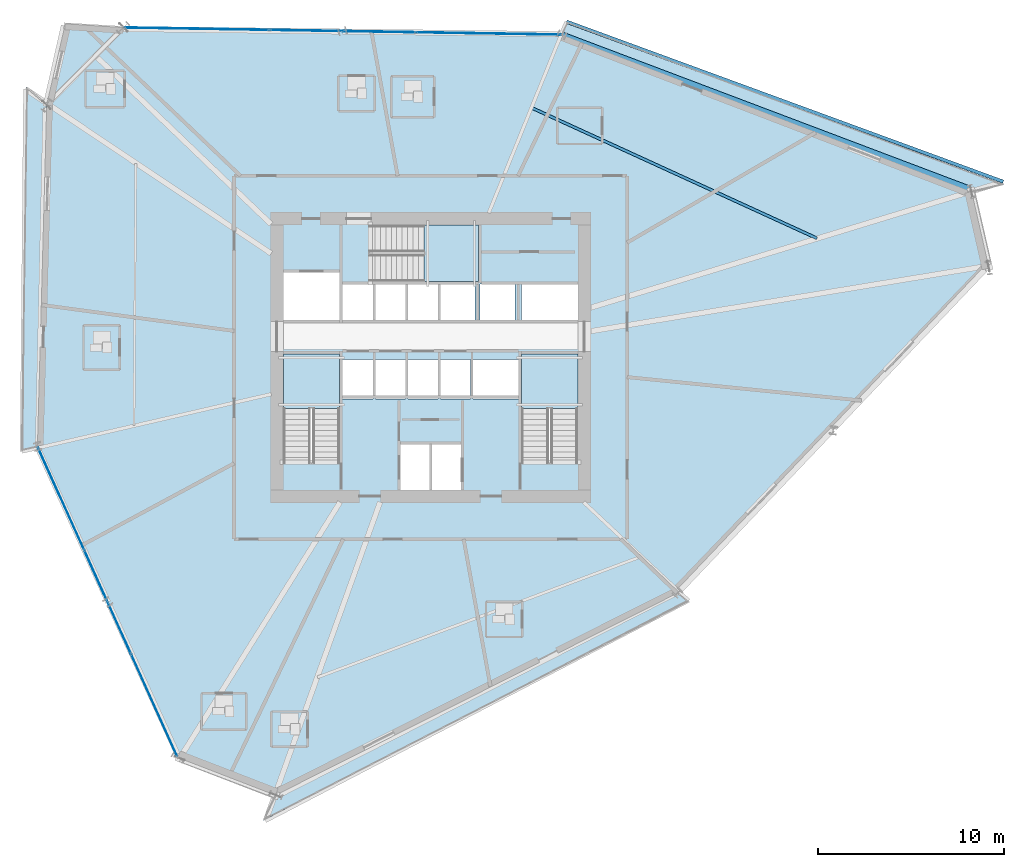
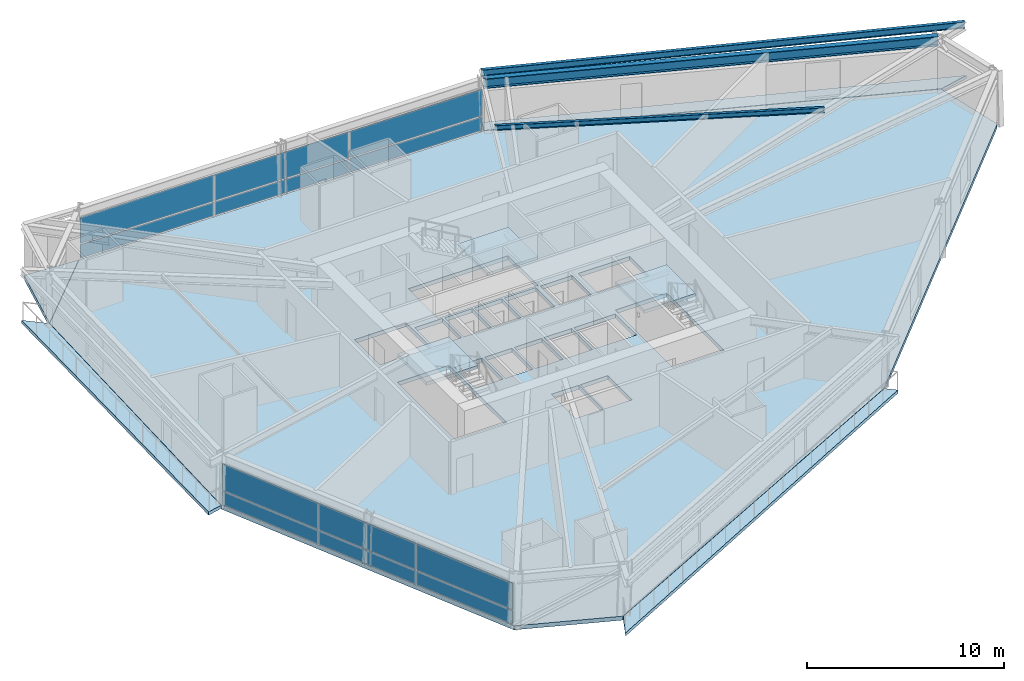
# One storey, part 9 of 22: 12 plates, 8 slabs, 3 beams, 5 elements without a shape of their own.
"""IFC4 building model written with IfcOpenShell, lengths in metres."""

from ifc_helpers import new_model, si_unit, direction, frame, origin, origin_2d, place, context, subcontext, project, spatial, polyline, rectangle, i_section, outline, extrude, source, transform, mapped, material, layer, layer_set, material_profile, profile_set, type_object, element, aggregate, save


model = new_model("IFC4")

# Units and contexts
model_context = context("Model", 3, precision=1e-05, world=origin(), true_north=direction((0.0, 1.0)))
body_context = subcontext(model_context, "Body", "Model", "MODEL_VIEW")
ifc_project = project(units=[si_unit("LENGTHUNIT", "METRE"), si_unit("AREAUNIT", "SQUARE_METRE"), si_unit("VOLUMEUNIT", "CUBIC_METRE"), si_unit("PLANEANGLEUNIT", "RADIAN"), si_unit("MASSUNIT", "GRAM", prefix="KILO")], contexts=[model_context])

# Site, building, storey
site_placement = place(None, origin())
site = spatial("IfcSite", under=ifc_project, at=site_placement, CompositionType="ELEMENT")
building_placement = place(site_placement, origin())
building = spatial("IfcBuilding", under=site, at=building_placement, Name="Olszyna Solenne Hotel", CompositionType="ELEMENT")
storey_placement = place(building_placement, frame((0.0, 0.0, 87.949951171875)))
storey = spatial("IfcBuildingStorey", under=building, at=storey_placement, Name="L22", CompositionType="ELEMENT", Elevation=87.949951171875)

# Beams
ifc_material_1 = material(Name="Steel S355J2", Category="steel")
ifc_material_profile_1 = material_profile(ifc_material_1, i_section(OverallWidth=0.300048828125, OverallDepth=0.60009765625, WebThickness=0.015380859375, FlangeThickness=0.030029296875, at=origin_2d()), Name="HEB 600", Category="load-bearing")
ifc_profile_set_1 = profile_set([ifc_material_profile_1], Name="Steel S355J2")
beam_type_1 = type_object("IfcBeamType", Name="BM-S2", PredefinedType="BEAM", material=ifc_profile_set_1)
shared_shape_1 = source(origin(), body_context, "Body", "SweptSolid", [
    extrude(i_section(OverallWidth=0.300048828125, OverallDepth=0.60009765625, WebThickness=0.015380859375, FlangeThickness=0.030029296875, at=origin_2d()), origin(), (0.0, 0.0, 1.0), 23.423095703125),
])
beam_1_placement = place(storey_placement, frame((66.93798828125, 35.645751953125, 3.0), z_axis=(-0.935384311312, 0.35363284654, 0.0), x_axis=(-0.35363284654, -0.935384311312, 0.0)))
element("IfcBeam", 1, at=beam_1_placement, inside=storey, type_object=beam_type_1, Name="Perimeter spandrel beam BM-S2 B-L22-0663", PredefinedType="BEAM", context=body_context, shape_type="MappedRepresentation", body=[
    mapped(shared_shape_1, transform((0.0, 0.0, 0.0), x_axis=(1.0, 0.0, 0.0), y_axis=(0.0, 1.0, 0.0), z_axis=(0.0, 0.0, 1.0), scale=1.0)),
])
ifc_material_profile_2 = material_profile(ifc_material_1, i_section(OverallWidth=0.14990234375, OverallDepth=0.300048828125, WebThickness=0.007080078125, FlangeThickness=0.0107421875, at=origin_2d()), Name="IPE 300", Category="load-bearing")
ifc_profile_set_2 = profile_set([ifc_material_profile_2], Name="Steel S355J2")
beam_type_2 = type_object("IfcBeamType", Name="JS-02", PredefinedType="JOIST", material=ifc_profile_set_2)
shared_shape_2 = source(origin(), body_context, "Body", "SweptSolid", [
    extrude(i_section(OverallWidth=0.14990234375, OverallDepth=0.300048828125, WebThickness=0.007080078125, FlangeThickness=0.0107421875, at=origin_2d()), origin(), (0.0, 0.0, 1.0), 16.827392578125),
])
beam_2_placement = place(storey_placement, frame((58.73046875, 32.99462890625, 3.150146484375), z_axis=(-0.909344648943, 0.416043638864, 0.0), x_axis=(-0.416043638864, -0.909344648943, 0.0)))
element("IfcBeam", 2, at=beam_2_placement, inside=storey, type_object=beam_type_2, Name="Secondary composite floor joist JS-02 B-L22-0685", PredefinedType="JOIST", context=body_context, shape_type="MappedRepresentation", body=[
    mapped(shared_shape_2, transform((0.0, 0.0, 0.0), x_axis=(1.0, 0.0, 0.0), y_axis=(0.0, 1.0, 0.0), z_axis=(0.0, 0.0, 1.0), scale=1.0)),
])
ifc_material_profile_3 = material_profile(ifc_material_1, i_section(OverallWidth=0.179931640625, OverallDepth=0.39990234375, WebThickness=0.008544921875, FlangeThickness=0.013427734375, at=origin_2d()), Name="IPE 400", Category="load-bearing")
ifc_profile_set_3 = profile_set([ifc_material_profile_3], Name="Steel S355J2")
beam_type_3 = type_object("IfcBeamType", Name="BM-F5", PredefinedType="BEAM", material=ifc_profile_set_3)
shared_shape_3 = source(origin(), body_context, "Body", "SweptSolid", [
    extrude(i_section(OverallWidth=0.179931640625, OverallDepth=0.39990234375, WebThickness=0.008544921875, FlangeThickness=0.013427734375, at=origin_2d()), origin(), (0.0, 0.0, 1.0), 24.965576171875),
])
beam_3_placement = place(storey_placement, frame((68.7275390625, 36.033447265625, 3.10009765625), z_axis=(-0.938891065082, 0.344214421413, 0.0), x_axis=(-0.344214421413, -0.938891065082, 0.0)))
element("IfcBeam", 3, at=beam_3_placement, inside=storey, type_object=beam_type_3, Name="Loggia outer edge beam BM-F5 B-L22-0688", PredefinedType="BEAM", context=body_context, shape_type="MappedRepresentation", body=[
    mapped(shared_shape_3, transform((0.0, 0.0, 0.0), x_axis=(1.0, 0.0, 0.0), y_axis=(0.0, 1.0, 0.0), z_axis=(0.0, 0.0, 1.0), scale=1.0)),
])

# Stair, slab
ifc_material_2 = material(Name="Concrete C40/50", Category="concrete")
stair_type = type_object("IfcStairType", Name="STR-C1", PredefinedType="TWO_QUARTER_WINDING_STAIR", material=ifc_material_2)
stair_1_placement = place(storey_placement, origin())
stair_1 = element("IfcStair", 4, at=stair_1_placement, inside=storey, type_object=stair_type, Name="L22 ST1", PredefinedType="TWO_QUARTER_WINDING_STAIR")
ifc_layer_1 = layer(ifc_material_2, 0.18994140625, Name="Concrete C40/50")
ifc_layer_set_1 = layer_set([ifc_layer_1], Name="Concrete C40/50")
slab_type_1 = type_object("IfcSlabType", Name="SL-LN190", PredefinedType="LANDING", material=ifc_layer_set_1)
slab_1_placement = place(storey_placement, frame((0.0, 0.0, 1.574951171875)))
slab_1 = element("IfcSlab", 5, at=slab_1_placement, type_object=slab_type_1, Name="ST1 landing 1", PredefinedType="LANDING", context=body_context, shape_type="SweptSolid", body=[
    extrude(outline(polyline([(33.1201171875, 23.85009765625), (33.1201171875, 26.800048828125), (30.10009765625, 26.800048828125), (30.10009765625, 23.85009765625), (33.1201171875, 23.85009765625)])), origin(), (0.0, 0.0, 1.0), 0.2001953125),
])
aggregate(stair_1, [slab_1])

stair_2_placement = place(storey_placement, origin())
stair_2 = element("IfcStair", 6, at=stair_2_placement, inside=storey, type_object=stair_type, Name="L22 ST2", PredefinedType="TWO_QUARTER_WINDING_STAIR")
slab_2_placement = place(storey_placement, frame((0.0, 0.0, 1.574951171875)))
slab_2 = element("IfcSlab", 7, at=slab_2_placement, type_object=slab_type_1, Name="ST2 landing 1", PredefinedType="LANDING", context=body_context, shape_type="SweptSolid", body=[
    extrude(outline(polyline([(45.89990234375, 23.85009765625), (45.89990234375, 26.800048828125), (42.8798828125, 26.800048828125), (42.8798828125, 23.85009765625), (45.89990234375, 23.85009765625)])), origin(), (0.0, 0.0, 1.0), 0.2001953125),
])
aggregate(stair_2, [slab_2])

stair_3_placement = place(storey_placement, origin())
stair_3 = element("IfcStair", 8, at=stair_3_placement, inside=storey, type_object=stair_type, Name="L22 ST3", PredefinedType="TWO_QUARTER_WINDING_STAIR")
slab_3_placement = place(storey_placement, frame((0.0, 0.0, 1.574951171875)))
slab_3 = element("IfcSlab", 9, at=slab_3_placement, type_object=slab_type_1, Name="ST3 landing 1", PredefinedType="LANDING", context=body_context, shape_type="SweptSolid", body=[
    extrude(outline(polyline([(37.6298828125, 30.679931640625), (40.580078125, 30.679931640625), (40.580078125, 33.699951171875), (37.6298828125, 33.699951171875), (37.6298828125, 30.679931640625)])), origin(), (0.0, 0.0, 1.0), 0.2001953125),
])
aggregate(stair_3, [slab_3])

# Slabs
ifc_material_3 = material(Name="Precast concrete C45/55", Category="concrete")
ifc_layer_2 = layer(ifc_material_3, 0.199951171875, Name="Precast concrete C45/55")
ifc_layer_set_2 = layer_set([ifc_layer_2], Name="Precast concrete C45/55")
slab_type_2 = type_object("IfcSlabType", Name="SL-LOG200", PredefinedType="FLOOR", material=ifc_layer_set_2)
slab_4_placement = place(storey_placement, frame((0.0, 0.0, -0.199951171875)))
element("IfcSlab", 10, at=slab_4_placement, inside=storey, type_object=slab_type_2, Name="Exterior loggia balcony slab SL-L22-LG1", PredefinedType="FLOOR", context=body_context, shape_type="SweptSolid", body=[
    extrude(outline(polyline([(45.05419921875, 43.93310546875), (67.03857421875, 35.511962890625), (67.039794921875, 35.511474609375), (67.041259765625, 35.5107421875), (67.04248046875, 35.509765625), (67.04345703125, 35.5087890625), (67.04443359375, 35.5078125), (67.04541015625, 35.506591796875), (67.046142578125, 35.50537109375), (67.046875, 35.504150390625), (67.04736328125, 35.502685546875), (67.0478515625, 35.50146484375), (68.768310546875, 35.8994140625), (45.3662109375, 44.594970703125), (45.05419921875, 43.93310546875)])), origin(), (0.0, 0.0, 1.0), 0.199951171875),
])
slab_5_placement = place(storey_placement, frame((0.0, 0.0, -0.199951171875)))
element("IfcSlab", 11, at=slab_5_placement, inside=storey, type_object=slab_type_2, Name="Exterior loggia balcony slab SL-L22-LG2", PredefinedType="FLOOR", context=body_context, shape_type="SweptSolid", body=[
    extrude(outline(polyline([(16.88427734375, 21.839111328125), (16.884033203125, 21.84033203125), (16.8837890625, 21.841796875), (16.8837890625, 21.843017578125), (17.381103515625, 40.1630859375), (17.38134765625, 40.16455078125), (17.381591796875, 40.166015625), (17.38330078125, 40.173583984375), (16.297607421875, 41.11181640625), (16.03125, 21.641845703125), (16.88427734375, 21.839111328125)])), origin(), (0.0, 0.0, 1.0), 0.199951171875),
])
slab_6_placement = place(storey_placement, frame((0.0, 0.0, -0.199951171875)))
element("IfcSlab", 12, at=slab_6_placement, inside=storey, type_object=slab_type_2, Name="Exterior loggia balcony slab SL-L22-LG3", PredefinedType="FLOOR", context=body_context, shape_type="SweptSolid", body=[
    extrude(outline(polyline([(51.2607421875, 13.948486328125), (51.26025390625, 13.947998046875), (51.259033203125, 13.947021484375), (51.257568359375, 13.94580078125), (51.256103515625, 13.945068359375), (29.678955078125, 3.09716796875), (29.677490234375, 3.096435546875), (29.676025390625, 3.095947265625), (29.674560546875, 3.095703125), (29.6728515625, 3.095458984375), (29.67138671875, 3.095458984375), (29.669921875, 3.095703125), (29.668212890625, 3.095947265625), (29.666748046875, 3.096435546875), (29.665771484375, 3.096923828125), (29.035400390625, 1.760009765625), (51.798583984375, 13.483642578125), (51.2607421875, 13.948486328125)])), origin(), (0.0, 0.0, 1.0), 0.199951171875),
])
ifc_material_4 = material(Name="Concrete C50/60", Category="concrete")
ifc_layer_3 = layer(ifc_material_4, 0.25, Name="Concrete C50/60")
ifc_layer_set_3 = layer_set([ifc_layer_3], Name="Concrete C50/60")
slab_type_3 = type_object("IfcSlabType", Name="SL-TW250", PredefinedType="FLOOR", material=ifc_layer_set_3)
slab_7_placement = place(storey_placement, frame((0.0, 0.0, -0.25)))
element("IfcSlab", 13, at=slab_7_placement, inside=storey, type_object=slab_type_3, Name="Floor slab SL-TW250 SL-L22-01", PredefinedType="FLOOR", context=body_context, shape_type="SweptSolid", body=[
    extrude(outline(polyline([(67.96240234375, 31.3916015625), (67.033203125, 35.498046875), (45.047607421875, 43.919677734375), (21.507568359375, 44.30322265625), (17.396240234375, 40.16259765625), (16.898681640625, 21.842529296875), (24.42822265625, 5.134033203125), (29.672119140625, 3.110595703125), (51.24951171875, 13.95849609375), (67.96240234375, 31.3916015625)]), holes=[polyline([(30.10009765625, 20.949951171875), (33.1201171875, 20.949951171875), (33.1201171875, 26.800048828125), (30.10009765625, 26.800048828125), (30.10009765625, 20.949951171875)]), polyline([(42.8798828125, 20.949951171875), (45.89990234375, 20.949951171875), (45.89990234375, 26.800048828125), (42.8798828125, 26.800048828125), (42.8798828125, 20.949951171875)]), polyline([(34.72998046875, 30.679931640625), (40.580078125, 30.679931640625), (40.580078125, 33.699951171875), (34.72998046875, 33.699951171875), (34.72998046875, 30.679931640625)]), polyline([(36.340087890625, 19.5), (37.9599609375, 19.5), (37.9599609375, 21.9599609375), (36.340087890625, 21.9599609375), (36.340087890625, 19.5)]), polyline([(38.0400390625, 19.5), (39.659912109375, 19.5), (39.659912109375, 21.9599609375), (38.0400390625, 21.9599609375), (38.0400390625, 19.5)]), polyline([(30.10009765625, 28.60009765625), (33.1201171875, 28.60009765625), (33.1201171875, 31.159912109375), (30.10009765625, 31.159912109375), (30.10009765625, 28.60009765625)]), polyline([(33.280029296875, 24.360107421875), (34.89990234375, 24.360107421875), (34.89990234375, 26.5), (33.280029296875, 26.5), (33.280029296875, 24.360107421875)]), polyline([(35.030029296875, 24.360107421875), (36.64990234375, 24.360107421875), (36.64990234375, 26.5), (35.030029296875, 26.5), (35.030029296875, 24.360107421875)]), polyline([(36.780029296875, 24.360107421875), (38.39990234375, 24.360107421875), (38.39990234375, 26.5), (36.780029296875, 26.5), (36.780029296875, 24.360107421875)]), polyline([(38.530029296875, 24.360107421875), (40.14990234375, 24.360107421875), (40.14990234375, 26.5), (38.530029296875, 26.5), (38.530029296875, 24.360107421875)]), polyline([(40.280029296875, 24.360107421875), (42.719970703125, 24.360107421875), (42.719970703125, 26.5), (40.280029296875, 26.5), (40.280029296875, 24.360107421875)]), polyline([(33.280029296875, 28.60009765625), (34.89990234375, 28.60009765625), (34.89990234375, 30.550048828125), (33.280029296875, 30.550048828125), (33.280029296875, 28.60009765625)]), polyline([(35.030029296875, 28.60009765625), (36.64990234375, 28.60009765625), (36.64990234375, 30.550048828125), (35.030029296875, 30.550048828125), (35.030029296875, 28.60009765625)]), polyline([(36.780029296875, 28.60009765625), (38.39990234375, 28.60009765625), (38.39990234375, 30.550048828125), (36.780029296875, 30.550048828125), (36.780029296875, 28.60009765625)]), polyline([(38.530029296875, 28.60009765625), (40.389892578125, 28.60009765625), (40.389892578125, 30.550048828125), (38.530029296875, 30.550048828125), (38.530029296875, 28.60009765625)]), polyline([(40.659912109375, 28.60009765625), (42.52001953125, 28.60009765625), (42.52001953125, 30.550048828125), (40.659912109375, 30.550048828125), (40.659912109375, 28.60009765625)]), polyline([(42.8798828125, 28.60009765625), (45.89990234375, 28.60009765625), (45.89990234375, 30.550048828125), (42.8798828125, 30.550048828125), (42.8798828125, 28.60009765625)])]), origin(), (0.0, 0.0, 1.0), 0.25),
])
slab_8_placement = place(storey_placement, frame((0.0, 0.0, -0.25)))
element("IfcSlab", 14, at=slab_8_placement, inside=storey, type_object=slab_type_3, Name="Faceted glass-prism floor slab SL-L22-PR", PredefinedType="FLOOR", context=body_context, shape_type="SweptSolid", body=[
    extrude(outline(polyline([(17.400390625, 40.18115234375), (21.494384765625, 44.30419921875), (18.39453125, 44.503173828125), (17.400390625, 40.18115234375)])), origin(), (0.0, 0.0, 1.0), 0.25),
])

# Curtain wall, plates
ifc_material_5 = material(Name="Anodised bronze aluminium", Category="aluminium")
curtain_wall_type = type_object("IfcCurtainWallType", Name="CW-SYS-3", PredefinedType="NOTDEFINED", material=ifc_material_5)
curtain_wall_1_placement = place(storey_placement, origin())
curtain_wall_1 = element("IfcCurtainWall", 15, at=curtain_wall_1_placement, inside=storey, type_object=curtain_wall_type, Name="Unitised curtain wall CW-SYS-3 CW-L22-01", PredefinedType="NOTDEFINED")
ifc_material_6 = material(Name="Terracotta cladding", Category="masonry")
plate_type_1 = type_object("IfcPlateType", Name="PN-SP1", PredefinedType="CURTAIN_PANEL", material=ifc_material_6)
shared_shape_4 = source(origin(), body_context, "Body", "SweptSolid", [
    extrude(rectangle(XDim=5.996337890625, YDim=0.035888671875, at=origin_2d()), origin(), (0.0, 0.0, 1.0), 0.83740234375),
])
plate_1_placement = place(storey_placement, frame((18.161376953125, 19.040771484375, 0.0751953125), z_axis=(0.0, 0.0, 1.0), x_axis=(0.410846969759, -0.911704320183, 0.0)))
plate_1 = element("IfcPlate", 16, at=plate_1_placement, type_object=plate_type_1, Name="Curtain-wall panel PN-SP1 CP-L22-01-01", PredefinedType="CURTAIN_PANEL", context=body_context, shape_type="MappedRepresentation", body=[
    mapped(shared_shape_4, transform((0.0, 0.0, 0.0), x_axis=(1.0, 0.0, 0.0), y_axis=(0.0, 1.0, 0.0), z_axis=(0.0, 0.0, 1.0), scale=1.0)),
])
plate_2_placement = place(storey_placement, frame((23.165771484375, 7.935791015625, 0.0751953125), z_axis=(0.0, 0.0, 1.0), x_axis=(0.410846969759, -0.911704320183, 0.0)))
plate_2 = element("IfcPlate", 17, at=plate_2_placement, type_object=plate_type_1, Name="Curtain-wall panel PN-SP1 CP-L22-01-05", PredefinedType="CURTAIN_PANEL", context=body_context, shape_type="MappedRepresentation", body=[
    mapped(shared_shape_4, transform((0.0, 0.0, 0.0), x_axis=(1.0, 0.0, 0.0), y_axis=(0.0, 1.0, 0.0), z_axis=(0.0, 0.0, 1.0), scale=1.0)),
])
ifc_material_7 = material(Name="Low-E triple glazing", Category="glass")
plate_type_2 = type_object("IfcPlateType", Name="PN-GL1", PredefinedType="CURTAIN_PANEL", material=ifc_material_7)
shared_shape_5 = source(origin(), body_context, "Body", "SweptSolid", [
    extrude(rectangle(XDim=5.996337890625, YDim=0.035888671875, at=origin_2d()), origin(), (0.0, 0.0, 1.0), 1.62939453125),
])
plate_3_placement = place(storey_placement, frame((18.161376953125, 19.040771484375, 0.987548828125), z_axis=(0.0, 0.0, 1.0), x_axis=(0.410846969759, -0.911704320183, 0.0)))
plate_3 = element("IfcPlate", 18, at=plate_3_placement, type_object=plate_type_2, Name="Curtain-wall panel PN-GL1 CP-L22-01-02", PredefinedType="CURTAIN_PANEL", context=body_context, shape_type="MappedRepresentation", body=[
    mapped(shared_shape_5, transform((0.0, 0.0, 0.0), x_axis=(1.0, 0.0, 0.0), y_axis=(0.0, 1.0, 0.0), z_axis=(0.0, 0.0, 1.0), scale=1.0)),
])
plate_4_placement = place(storey_placement, frame((23.165771484375, 7.935791015625, 0.987548828125), z_axis=(0.0, 0.0, 1.0), x_axis=(0.410846969759, -0.911704320183, 0.0)))
plate_4 = element("IfcPlate", 19, at=plate_4_placement, type_object=plate_type_2, Name="Curtain-wall panel PN-GL1 CP-L22-01-06", PredefinedType="CURTAIN_PANEL", context=body_context, shape_type="MappedRepresentation", body=[
    mapped(shared_shape_5, transform((0.0, 0.0, 0.0), x_axis=(1.0, 0.0, 0.0), y_axis=(0.0, 1.0, 0.0), z_axis=(0.0, 0.0, 1.0), scale=1.0)),
])
shared_shape_6 = source(origin(), body_context, "Body", "SweptSolid", [
    extrude(rectangle(XDim=6.033935546875, YDim=0.035888671875, at=origin_2d()), origin(), (0.0, 0.0, 1.0), 0.83740234375),
])
plate_5_placement = place(storey_placement, frame((20.66357421875, 13.48828125, 0.0751953125), z_axis=(0.0, 0.0, 1.0), x_axis=(0.410846969759, -0.911704320183, 0.0)))
plate_5 = element("IfcPlate", 20, at=plate_5_placement, type_object=plate_type_1, Name="Curtain-wall panel PN-SP1 CP-L22-01-03", PredefinedType="CURTAIN_PANEL", context=body_context, shape_type="MappedRepresentation", body=[
    mapped(shared_shape_6, transform((0.0, 0.0, 0.0), x_axis=(1.0, 0.0, 0.0), y_axis=(0.0, 1.0, 0.0), z_axis=(0.0, 0.0, 1.0), scale=1.0)),
])
shared_shape_7 = source(origin(), body_context, "Body", "SweptSolid", [
    extrude(rectangle(XDim=6.033935546875, YDim=0.035888671875, at=origin_2d()), origin(), (0.0, 0.0, 1.0), 1.62939453125),
])
plate_6_placement = place(storey_placement, frame((20.66357421875, 13.48828125, 0.987548828125), z_axis=(0.0, 0.0, 1.0), x_axis=(0.410846969759, -0.911704320183, 0.0)))
plate_6 = element("IfcPlate", 21, at=plate_6_placement, type_object=plate_type_2, Name="Curtain-wall panel PN-GL1 CP-L22-01-04", PredefinedType="CURTAIN_PANEL", context=body_context, shape_type="MappedRepresentation", body=[
    mapped(shared_shape_7, transform((0.0, 0.0, 0.0), x_axis=(1.0, 0.0, 0.0), y_axis=(0.0, 1.0, 0.0), z_axis=(0.0, 0.0, 1.0), scale=1.0)),
])
aggregate(curtain_wall_1, [plate_1, plate_3, plate_5, plate_6, plate_2, plate_4])

curtain_wall_2_placement = place(storey_placement, origin())
curtain_wall_2 = element("IfcCurtainWall", 22, at=curtain_wall_2_placement, inside=storey, type_object=curtain_wall_type, Name="Unitised curtain wall CW-SYS-3 CW-L22-02", PredefinedType="NOTDEFINED")
shared_shape_8 = source(origin(), body_context, "Body", "SweptSolid", [
    extrude(rectangle(XDim=7.7353515625, YDim=0.035888671875, at=origin_2d()), origin(), (0.0, 0.0, 1.0), 0.83740234375),
])
plate_7_placement = place(storey_placement, frame((25.44970703125, 44.239013671875, 0.0751953125), z_axis=(0.0, 0.0, 1.0), x_axis=(0.999867253185, -0.016293434532, 0.0)))
plate_7 = element("IfcPlate", 23, at=plate_7_placement, type_object=plate_type_1, Name="Curtain-wall panel PN-SP1 CP-L22-02-01", PredefinedType="CURTAIN_PANEL", context=body_context, shape_type="MappedRepresentation", body=[
    mapped(shared_shape_8, transform((0.0, 0.0, 0.0), x_axis=(1.0, 0.0, 0.0), y_axis=(0.0, 1.0, 0.0), z_axis=(0.0, 0.0, 1.0), scale=1.0)),
])
plate_8_placement = place(storey_placement, frame((41.105712890625, 43.98388671875, 0.0751953125), z_axis=(0.0, 0.0, 1.0), x_axis=(0.999867253185, -0.016293434532, 0.0)))
plate_8 = element("IfcPlate", 24, at=plate_8_placement, type_object=plate_type_1, Name="Curtain-wall panel PN-SP1 CP-L22-02-05", PredefinedType="CURTAIN_PANEL", context=body_context, shape_type="MappedRepresentation", body=[
    mapped(shared_shape_8, transform((0.0, 0.0, 0.0), x_axis=(1.0, 0.0, 0.0), y_axis=(0.0, 1.0, 0.0), z_axis=(0.0, 0.0, 1.0), scale=1.0)),
])
shared_shape_9 = source(origin(), body_context, "Body", "SweptSolid", [
    extrude(rectangle(XDim=7.7353515625, YDim=0.035888671875, at=origin_2d()), origin(), (0.0, 0.0, 1.0), 1.62939453125),
])
plate_9_placement = place(storey_placement, frame((25.44970703125, 44.239013671875, 0.987548828125), z_axis=(0.0, 0.0, 1.0), x_axis=(0.999867253185, -0.016293434532, 0.0)))
plate_9 = element("IfcPlate", 25, at=plate_9_placement, type_object=plate_type_2, Name="Curtain-wall panel PN-GL1 CP-L22-02-02", PredefinedType="CURTAIN_PANEL", context=body_context, shape_type="MappedRepresentation", body=[
    mapped(shared_shape_9, transform((0.0, 0.0, 0.0), x_axis=(1.0, 0.0, 0.0), y_axis=(0.0, 1.0, 0.0), z_axis=(0.0, 0.0, 1.0), scale=1.0)),
])
plate_10_placement = place(storey_placement, frame((41.105712890625, 43.98388671875, 0.987548828125), z_axis=(0.0, 0.0, 1.0), x_axis=(0.999867253185, -0.016293434532, 0.0)))
plate_10 = element("IfcPlate", 26, at=plate_10_placement, type_object=plate_type_2, Name="Curtain-wall panel PN-GL1 CP-L22-02-06", PredefinedType="CURTAIN_PANEL", context=body_context, shape_type="MappedRepresentation", body=[
    mapped(shared_shape_9, transform((0.0, 0.0, 0.0), x_axis=(1.0, 0.0, 0.0), y_axis=(0.0, 1.0, 0.0), z_axis=(0.0, 0.0, 1.0), scale=1.0)),
])
shared_shape_10 = source(origin(), body_context, "Body", "SweptSolid", [
    extrude(rectangle(XDim=7.772705078125, YDim=0.035888671875, at=origin_2d()), origin(), (0.0, 0.0, 1.0), 0.83740234375),
])
plate_11_placement = place(storey_placement, frame((33.277587890625, 44.111328125, 0.0751953125), z_axis=(0.0, 0.0, 1.0), x_axis=(0.999867253185, -0.016293434532, 0.0)))
plate_11 = element("IfcPlate", 27, at=plate_11_placement, type_object=plate_type_1, Name="Curtain-wall panel PN-SP1 CP-L22-02-03", PredefinedType="CURTAIN_PANEL", context=body_context, shape_type="MappedRepresentation", body=[
    mapped(shared_shape_10, transform((0.0, 0.0, 0.0), x_axis=(1.0, 0.0, 0.0), y_axis=(0.0, 1.0, 0.0), z_axis=(0.0, 0.0, 1.0), scale=1.0)),
])
shared_shape_11 = source(origin(), body_context, "Body", "SweptSolid", [
    extrude(rectangle(XDim=7.772705078125, YDim=0.035888671875, at=origin_2d()), origin(), (0.0, 0.0, 1.0), 1.62939453125),
])
plate_12_placement = place(storey_placement, frame((33.277587890625, 44.111328125, 0.987548828125), z_axis=(0.0, 0.0, 1.0), x_axis=(0.999867253185, -0.016293434532, 0.0)))
plate_12 = element("IfcPlate", 28, at=plate_12_placement, type_object=plate_type_2, Name="Curtain-wall panel PN-GL1 CP-L22-02-04", PredefinedType="CURTAIN_PANEL", context=body_context, shape_type="MappedRepresentation", body=[
    mapped(shared_shape_11, transform((0.0, 0.0, 0.0), x_axis=(1.0, 0.0, 0.0), y_axis=(0.0, 1.0, 0.0), z_axis=(0.0, 0.0, 1.0), scale=1.0)),
])
aggregate(curtain_wall_2, [plate_7, plate_9, plate_11, plate_12, plate_8, plate_10])

save(model, "model.ifc")
